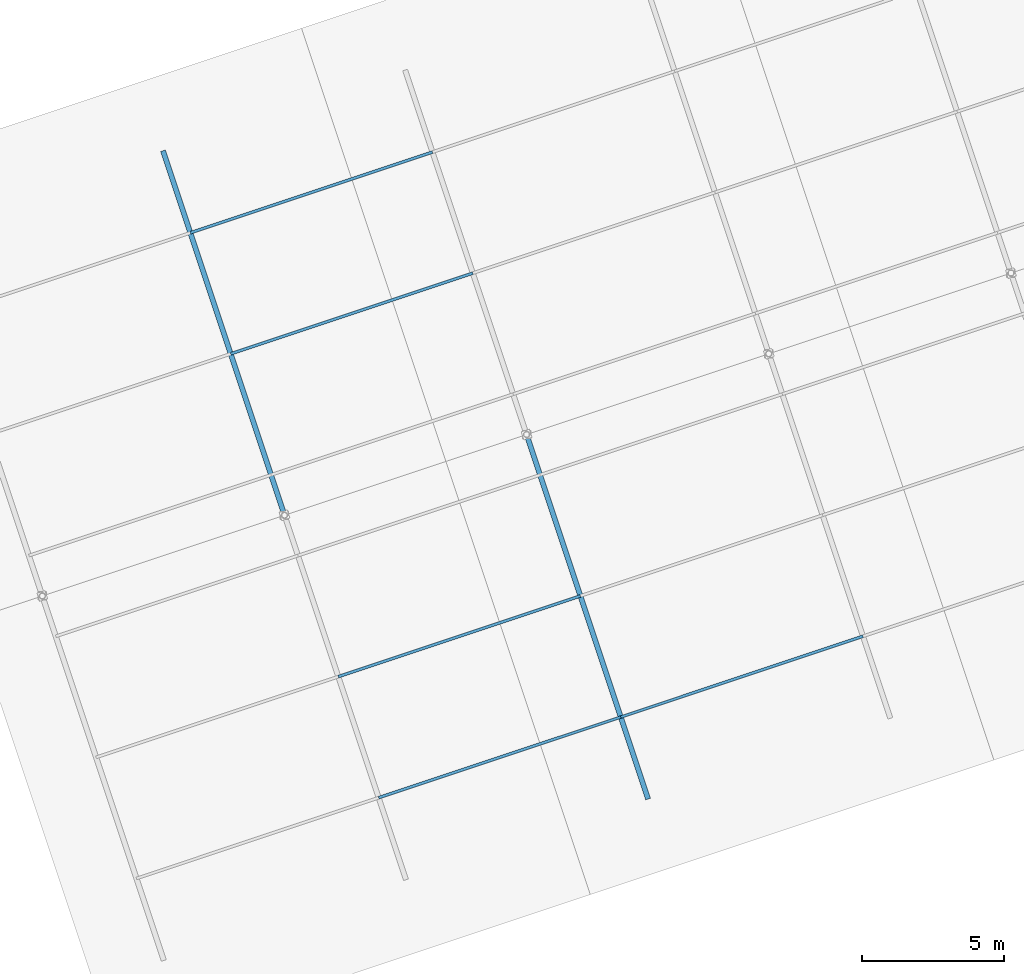
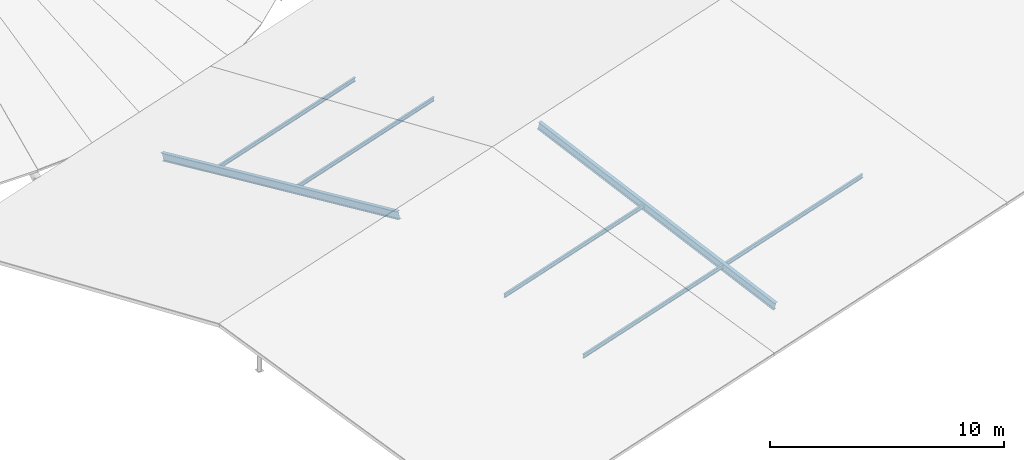
# One storey, part 26 of 107: 7 members.
"""IFC4 building model written with IfcOpenShell, lengths in metres."""

import ifcopenshell
import ifcopenshell.guid

model = None  # the IFC model being written
_history = None  # IfcOwnerHistory: only IFC2X3 demands one
_inside = {}  # id of a spatial element -> (the spatial element, [elements in it])
_under = {}  # id of a project, library or spatial element -> (it, [spatial elements below it])
_declared = {}  # id of a project -> (the project, [libraries it declares])
_typed = {}  # id of a type object -> (the type object, [elements of that type])
_made_of = {}  # id of a material, layer set ... -> (it, [elements and type objects made of it])


def new_model(schema):
    """Start an empty IFC model of exactly this schema.

    Asked for "IFC4X3", IfcOpenShell would pick the latest addendum, in which some entities
    have other attributes; the version numbers below select the first issue.
    IFC2X3 requires an IfcOwnerHistory on every rooted entity: one is made here for all.
    """
    global model, _history
    if schema == "IFC4X3":
        model = ifcopenshell.file(schema_version=(4, 3, 0, 0))
    else:
        model = ifcopenshell.file(schema=schema)
    _inside.clear()
    _under.clear()
    _declared.clear()
    _typed.clear()
    _made_of.clear()
    _history = None
    if model.schema == "IFC2X3":
        org = make("IfcOrganization", Name="unknown")
        user = make(
            "IfcPersonAndOrganization",
            ThePerson=make("IfcPerson", FamilyName="unknown"),
            TheOrganization=org,
        )
        app = make(
            "IfcApplication",
            ApplicationDeveloper=org,
            Version="unknown",
            ApplicationFullName="unknown",
            ApplicationIdentifier="unknown",
        )
        _history = make(
            "IfcOwnerHistory",
            OwningUser=user,
            OwningApplication=app,
            ChangeAction="ADDED",
            CreationDate=0,
        )
    return model


def make(cls, **values):
    """One entity of the class cls with the attributes given. An attribute that is None is left unset."""
    return model.create_entity(
        cls, **{name: value for name, value in values.items() if value is not None}
    )


def rooted(cls, **values):
    """An entity with a GlobalId (a new one), such as an element, a storey or a relation."""
    return make(cls, GlobalId=ifcopenshell.guid.new(), OwnerHistory=_history, **values)


def si_unit(unit_type, name, prefix=None):
    """IfcSIUnit, for example si_unit("LENGTHUNIT", "METRE", prefix="MILLI")."""
    return make("IfcSIUnit", UnitType=unit_type, Prefix=prefix, Name=name)


def derived_unit(unit_type, elements):
    """IfcDerivedUnit: a product of units, each with its exponent."""
    return make(
        "IfcDerivedUnit",
        Elements=[
            make("IfcDerivedUnitElement", Unit=unit, Exponent=power)
            for unit, power in elements
        ],
        UnitType=unit_type,
    )


def assignment(units):
    """IfcUnitAssignment: the units of a project."""
    return None if units is None else make("IfcUnitAssignment", Units=units)


def point(xyz):
    """IfcCartesianPoint."""
    return None if xyz is None else make("IfcCartesianPoint", Coordinates=xyz)


def direction(xyz):
    """IfcDirection."""
    return None if xyz is None else make("IfcDirection", DirectionRatios=xyz)


def frame(location, z_axis=None, x_axis=None):
    """IfcAxis2Placement3D, a coordinate frame: its origin and axes. An axis left out is left unset."""
    return make(
        "IfcAxis2Placement3D",
        Location=point(location),
        Axis=direction(z_axis),
        RefDirection=direction(x_axis),
    )


def frame_2d(location, x_axis=None):
    """IfcAxis2Placement2D, a coordinate frame in the plane: its origin and x axis."""
    return make(
        "IfcAxis2Placement2D", Location=point(location), RefDirection=direction(x_axis)
    )


def origin():
    """The frame at (0, 0, 0) with its axes left unset."""
    return frame((0.0, 0.0, 0.0))


def origin_2d():
    """The frame at (0, 0) in the plane with its x axis left unset."""
    return frame_2d((0.0, 0.0))


def place(relative_to, where):
    """IfcLocalPlacement: puts the frame where relative to a parent placement (None: the world)."""
    return make(
        "IfcLocalPlacement", PlacementRelTo=relative_to, RelativePlacement=where
    )


def context(
    kind, dimensions, precision=None, world=None, true_north=None, identifier=None
):
    """IfcGeometricRepresentationContext, for example the 3D "Model" context."""
    return make(
        "IfcGeometricRepresentationContext",
        ContextIdentifier=identifier,
        ContextType=kind,
        CoordinateSpaceDimension=dimensions,
        Precision=precision,
        WorldCoordinateSystem=world,
        TrueNorth=true_north,
    )


def subcontext(parent, identifier, kind, view, scale=None):
    """IfcGeometricRepresentationSubContext, for example "Body" below "Model"."""
    return make(
        "IfcGeometricRepresentationSubContext",
        ContextIdentifier=identifier,
        ContextType=kind,
        ParentContext=parent,
        TargetScale=scale,
        TargetView=view,
    )


def project(units=None, contexts=None):
    """IfcProject with its units and contexts."""
    return rooted(
        "IfcProject",
        Name="project",
        RepresentationContexts=contexts,
        UnitsInContext=assignment(units),
    )


def spatial(cls, under=None, at=None, **own):
    """A site, building, storey or space (cls), placed at a placement, below another one or the project."""
    s = rooted(cls, ObjectPlacement=at, **own)
    if under is not None:
        _under.setdefault(under.id(), (under, []))[1].append(s)
    return s


def profile(cls, at=None, kind="AREA", **sizes):
    """A parametric profile (cls). Its sizes go by their IFC names, for example OverallWidth=200.0."""
    return make(cls, ProfileType=kind, Position=at, **sizes)


def i_section(**sizes):
    """IfcIShapeProfileDef."""
    return profile("IfcIShapeProfileDef", **sizes)


def extrude(swept, where, along, depth):
    """IfcExtrudedAreaSolid: the profile swept, set in the frame where, extruded along a direction by depth."""
    return make(
        "IfcExtrudedAreaSolid",
        SweptArea=swept,
        Position=where,
        ExtrudedDirection=direction(along),
        Depth=depth,
    )


def shape(context_of_items, identifier, shape_type, items):
    """IfcShapeRepresentation: the items that make up one representation, for example the "Body"."""
    return make(
        "IfcShapeRepresentation",
        ContextOfItems=context_of_items,
        RepresentationIdentifier=identifier,
        RepresentationType=shape_type,
        Items=items,
    )


def material(Name=None, Category=None):
    """IfcMaterial."""
    return make("IfcMaterial", Name=Name, Category=Category)


def material_profile(
    of_material, cross_section, Name=None, Category=None, Priority=None
):
    """IfcMaterialProfile: a cross section and its material."""
    return make(
        "IfcMaterialProfile",
        Name=Name,
        Material=of_material,
        Profile=cross_section,
        Priority=Priority,
        Category=Category,
    )


def profile_set(profiles, Name=None, composite=None):
    """IfcMaterialProfileSet."""
    return make(
        "IfcMaterialProfileSet",
        Name=Name,
        MaterialProfiles=profiles,
        CompositeProfile=composite,
    )


def made_of(thing, what):
    """Note that an element or type object is made of a material, layer set ...; save() writes the relation."""
    if what is not None:
        _made_of.setdefault(what.id(), (what, []))[1].append(thing)
    return thing


def type_object(cls, material=None, **own):
    """A type object (cls), such as IfcWallType, which elements share."""
    return made_of(rooted(cls, **own), material)


def element(
    cls,
    number,
    at=None,
    inside=None,
    cuts=None,
    type_object=None,
    material=None,
    context=None,
    identifier="Body",
    shape_type=None,
    held_by="IfcProductDefinitionShape",
    body=None,
    shapes=None,
    **own,
):
    """One element of the class cls, such as IfcWall. Its Tag is "e" and its number.

    at: its placement. inside: the storey or other place that contains it. cuts: it is an
    opening in that element (IfcRelVoidsElement). A single representation is given by context,
    identifier, shape_type and body (its items); several are given by shapes. held_by: the class
    of the entity that holds the representations. save() writes the other relations.
    """
    e = rooted(cls, Tag="e%d" % number, ObjectPlacement=at, **own)
    if body is not None:
        shapes = [shape(context, identifier, shape_type, body)]
    if shapes is not None:
        e.Representation = make(held_by, Representations=shapes)
    if inside is not None:
        _inside.setdefault(inside.id(), (inside, []))[1].append(e)
    if cuts is not None:
        rooted(
            "IfcRelVoidsElement", RelatingBuildingElement=cuts, RelatedOpeningElement=e
        )
    if type_object is not None:
        _typed.setdefault(type_object.id(), (type_object, []))[1].append(e)
    return made_of(e, material)


def aggregate(whole, parts):
    """IfcRelAggregates: a whole, such as a stair, and the parts it consists of."""
    return rooted("IfcRelAggregates", RelatingObject=whole, RelatedObjects=parts)


def save(model, path):
    """Write the relations noted so far, then the file.

    IfcRelAggregates (storeys below a building ...), IfcRelContainedInSpatialStructure (elements
    in a storey), IfcRelDefinesByType, IfcRelAssociatesMaterial and IfcRelDeclares: one each for
    every whole, place, type object, material and project.
    """
    for whole, parts in _under.values():
        aggregate(whole, parts)
    for where, things in _inside.values():
        rooted(
            "IfcRelContainedInSpatialStructure",
            RelatedElements=things,
            RelatingStructure=where,
        )
    for kind, things in _typed.values():
        rooted("IfcRelDefinesByType", RelatedObjects=things, RelatingType=kind)
    for what, things in _made_of.values():
        rooted("IfcRelAssociatesMaterial", RelatedObjects=things, RelatingMaterial=what)
    for by, libraries in _declared.values():
        rooted("IfcRelDeclares", RelatingContext=by, RelatedDefinitions=libraries)
    model.write(path)


model = new_model("IFC4")

# Units and contexts
model_context = context("Model", 3, precision=1e-05, world=origin(), true_north=direction((0.0, 1.0)))
body_context = subcontext(model_context, "Body", "Model", "MODEL_VIEW")
ifc_project = project(units=[si_unit("LENGTHUNIT", "METRE"), si_unit("AREAUNIT", "SQUARE_METRE"), si_unit("VOLUMEUNIT", "CUBIC_METRE"), si_unit("PLANEANGLEUNIT", "RADIAN"), si_unit("MASSUNIT", "GRAM", prefix="KILO"), si_unit("THERMODYNAMICTEMPERATUREUNIT", "KELVIN"), si_unit("TIMEUNIT", "SECOND"), derived_unit("THERMALTRANSMITTANCEUNIT", [(si_unit("MASSUNIT", "GRAM", prefix="KILO"), 1), (si_unit("THERMODYNAMICTEMPERATUREUNIT", "KELVIN"), -1), (si_unit("TIMEUNIT", "SECOND"), -3)])], contexts=[model_context])

# Site, building, storey
site_placement = place(None, origin())
site = spatial("IfcSite", under=ifc_project, at=site_placement, CompositionType="ELEMENT")
building_placement = place(site_placement, origin())
building = spatial("IfcBuilding", under=site, at=building_placement, Name="Cambertide Market Hall", CompositionType="ELEMENT")
storey_placement = place(building_placement, frame((0.0, 0.0, 18.300048828125)))
storey = spatial("IfcBuildingStorey", under=building, at=storey_placement, Name="RF", CompositionType="ELEMENT", Elevation=18.300048828125)

# Members
ifc_material_1 = material(Name="Steel S355", Category="steel")
ifc_material_profile_1 = material_profile(ifc_material_1, i_section(OverallWidth=0.179931640625, OverallDepth=0.39990234375, WebThickness=0.008544921875, FlangeThickness=0.013427734375, FilletRadius=0.02099609375, at=origin_2d()), Name="IPE 400")
ifc_profile_set_1 = profile_set([ifc_material_profile_1], Name="Steel S355")
member_type_1 = type_object("IfcMemberType", Name="Radial Fan Rafter IPE 400", PredefinedType="RAFTER", material=ifc_profile_set_1)
for number, where, z_axis, x_axis, name in (
    (1, (106.0, 40.46044921875, -4.400146484375), (0.307722895313, -0.923168685938, 0.230361014505), (0.948683298051, 0.316227766017, 0.0), "RAF-V3N-2"),
    (2, (123.076416015625, 17.692138671875, -4.400146484375), (-0.30773882699, 0.923163686524, 0.230359766987), (-0.948677872554, -0.31624404204, 0.0), "RAF-V3S-3"),
):
    element("IfcMember", number, at=place(storey_placement, frame(where, z_axis=z_axis, x_axis=x_axis)), inside=storey, type_object=member_type_1, Name=name, PredefinedType="RAFTER", context=body_context, shape_type="SweptSolid", body=[
        extrude(i_section(OverallWidth=0.179931640625, OverallDepth=0.39990234375, WebThickness=0.008544921875, FlangeThickness=0.013427734375, FilletRadius=0.02099609375, at=origin_2d()), origin(), (0.0, 0.0, 1.0), 13.873046875),
    ])
ifc_material_2 = material(Name="Steel S275", Category="steel")
ifc_material_profile_2 = material_profile(ifc_material_2, i_section(OverallWidth=0.10009765625, OverallDepth=0.199951171875, WebThickness=0.005615234375, FlangeThickness=0.008544921875, FilletRadius=0.011962890625, at=origin_2d()), Name="IPE 200")
ifc_profile_set_2 = profile_set([ifc_material_profile_2], Name="Steel S275")
member_type_2 = type_object("IfcMemberType", Name="Roof Purlin IPE 200", PredefinedType="PURLIN", material=ifc_profile_set_2)
member_placement = place(storey_placement, frame((113.58935546875, 17.692138671875, -3.68994140625), z_axis=(0.948688723175, 0.316211490179, 0.0), x_axis=(-0.316211490179, 0.948688723175, 0.0)))
element("IfcMember", 3, at=member_placement, inside=storey, type_object=member_type_2, Name="PUR-V3-2-3", PredefinedType="PURLIN", context=body_context, shape_type="SweptSolid", body=[
    extrude(i_section(OverallWidth=0.10009765625, OverallDepth=0.199951171875, WebThickness=0.005615234375, FlangeThickness=0.008544921875, FilletRadius=0.011962890625, at=origin_2d()), origin(), (0.0, 0.0, 1.0), 9.000244140625),
])
for number, where, z_axis, x_axis, name in (
    (4, (112.16650390625, 21.961181640625, -2.624755859375), (0.948686010717, 0.3162196279, 0.0), (-0.3162196279, 0.948686010717, 0.0), "PUR-V3-2-7"),
    (5, (108.371826171875, 33.345458984375, -2.624755859375), (0.948686010717, 0.3162196279, 0.0), (-0.3162196279, 0.948686010717, 0.0), "PUR-V3-2-19"),
    (6, (106.94873046875, 37.614501953125, -3.68994140625), (0.948686010717, 0.3162196279, 0.0), (-0.3162196279, 0.948686010717, 0.0), "PUR-V3-2-24"),
    (7, (122.127685546875, 20.5380859375, -3.68994140625), (0.948677872554, 0.31624404204, 0.0), (-0.31624404204, 0.948677872554, 0.0), "PUR-V3-3-3"),
):
    element("IfcMember", number, at=place(storey_placement, frame(where, z_axis=z_axis, x_axis=x_axis)), inside=storey, type_object=member_type_2, Name=name, PredefinedType="PURLIN", context=body_context, shape_type="SweptSolid", body=[
        extrude(i_section(OverallWidth=0.10009765625, OverallDepth=0.199951171875, WebThickness=0.005615234375, FlangeThickness=0.008544921875, FilletRadius=0.011962890625, at=origin_2d()), origin(), (0.0, 0.0, 1.0), 9.0),
    ])

save(model, "model.ifc")
